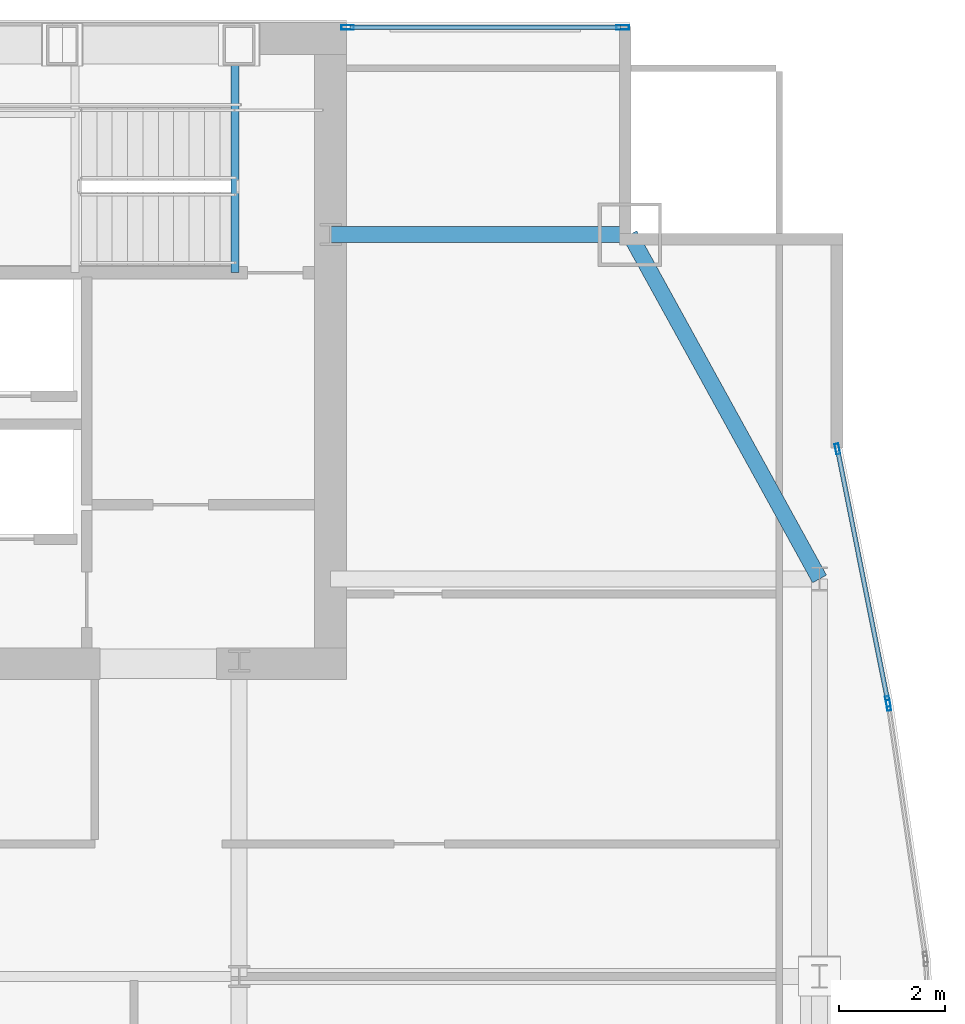
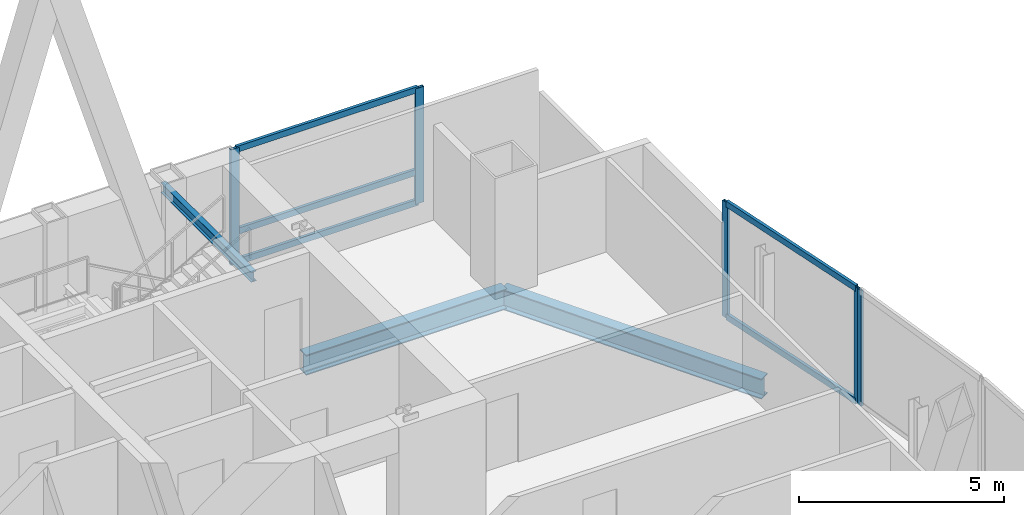
# One storey, part 25 of 32: 10 members, 3 beams, 3 elements without a shape of their own.
"""IFC4 building model written with IfcOpenShell, lengths in metres."""

import ifcopenshell
import ifcopenshell.guid

model = None  # the IFC model being written
_history = None  # IfcOwnerHistory: only IFC2X3 demands one
_inside = {}  # id of a spatial element -> (the spatial element, [elements in it])
_under = {}  # id of a project, library or spatial element -> (it, [spatial elements below it])
_declared = {}  # id of a project -> (the project, [libraries it declares])
_typed = {}  # id of a type object -> (the type object, [elements of that type])
_made_of = {}  # id of a material, layer set ... -> (it, [elements and type objects made of it])


def new_model(schema):
    """Start an empty IFC model of exactly this schema.

    Asked for "IFC4X3", IfcOpenShell would pick the latest addendum, in which some entities
    have other attributes; the version numbers below select the first issue.
    IFC2X3 requires an IfcOwnerHistory on every rooted entity: one is made here for all.
    """
    global model, _history
    if schema == "IFC4X3":
        model = ifcopenshell.file(schema_version=(4, 3, 0, 0))
    else:
        model = ifcopenshell.file(schema=schema)
    _inside.clear()
    _under.clear()
    _declared.clear()
    _typed.clear()
    _made_of.clear()
    _history = None
    if model.schema == "IFC2X3":
        org = make("IfcOrganization", Name="unknown")
        user = make(
            "IfcPersonAndOrganization",
            ThePerson=make("IfcPerson", FamilyName="unknown"),
            TheOrganization=org,
        )
        app = make(
            "IfcApplication",
            ApplicationDeveloper=org,
            Version="unknown",
            ApplicationFullName="unknown",
            ApplicationIdentifier="unknown",
        )
        _history = make(
            "IfcOwnerHistory",
            OwningUser=user,
            OwningApplication=app,
            ChangeAction="ADDED",
            CreationDate=0,
        )
    return model


def make(cls, **values):
    """One entity of the class cls with the attributes given. An attribute that is None is left unset."""
    return model.create_entity(
        cls, **{name: value for name, value in values.items() if value is not None}
    )


def rooted(cls, **values):
    """An entity with a GlobalId (a new one), such as an element, a storey or a relation."""
    return make(cls, GlobalId=ifcopenshell.guid.new(), OwnerHistory=_history, **values)


def si_unit(unit_type, name, prefix=None):
    """IfcSIUnit, for example si_unit("LENGTHUNIT", "METRE", prefix="MILLI")."""
    return make("IfcSIUnit", UnitType=unit_type, Prefix=prefix, Name=name)


def assignment(units):
    """IfcUnitAssignment: the units of a project."""
    return None if units is None else make("IfcUnitAssignment", Units=units)


def point(xyz):
    """IfcCartesianPoint."""
    return None if xyz is None else make("IfcCartesianPoint", Coordinates=xyz)


def direction(xyz):
    """IfcDirection."""
    return None if xyz is None else make("IfcDirection", DirectionRatios=xyz)


def frame(location, z_axis=None, x_axis=None):
    """IfcAxis2Placement3D, a coordinate frame: its origin and axes. An axis left out is left unset."""
    return make(
        "IfcAxis2Placement3D",
        Location=point(location),
        Axis=direction(z_axis),
        RefDirection=direction(x_axis),
    )


def frame_2d(location, x_axis=None):
    """IfcAxis2Placement2D, a coordinate frame in the plane: its origin and x axis."""
    return make(
        "IfcAxis2Placement2D", Location=point(location), RefDirection=direction(x_axis)
    )


def origin():
    """The frame at (0, 0, 0) with its axes left unset."""
    return frame((0.0, 0.0, 0.0))


def origin_2d():
    """The frame at (0, 0) in the plane with its x axis left unset."""
    return frame_2d((0.0, 0.0))


def place(relative_to, where):
    """IfcLocalPlacement: puts the frame where relative to a parent placement (None: the world)."""
    return make(
        "IfcLocalPlacement", PlacementRelTo=relative_to, RelativePlacement=where
    )


def context(
    kind, dimensions, precision=None, world=None, true_north=None, identifier=None
):
    """IfcGeometricRepresentationContext, for example the 3D "Model" context."""
    return make(
        "IfcGeometricRepresentationContext",
        ContextIdentifier=identifier,
        ContextType=kind,
        CoordinateSpaceDimension=dimensions,
        Precision=precision,
        WorldCoordinateSystem=world,
        TrueNorth=true_north,
    )


def subcontext(parent, identifier, kind, view, scale=None):
    """IfcGeometricRepresentationSubContext, for example "Body" below "Model"."""
    return make(
        "IfcGeometricRepresentationSubContext",
        ContextIdentifier=identifier,
        ContextType=kind,
        ParentContext=parent,
        TargetScale=scale,
        TargetView=view,
    )


def project(units=None, contexts=None):
    """IfcProject with its units and contexts."""
    return rooted(
        "IfcProject",
        Name="project",
        RepresentationContexts=contexts,
        UnitsInContext=assignment(units),
    )


def spatial(cls, under=None, at=None, **own):
    """A site, building, storey or space (cls), placed at a placement, below another one or the project."""
    s = rooted(cls, ObjectPlacement=at, **own)
    if under is not None:
        _under.setdefault(under.id(), (under, []))[1].append(s)
    return s


def profile(cls, at=None, kind="AREA", **sizes):
    """A parametric profile (cls). Its sizes go by their IFC names, for example OverallWidth=200.0."""
    return make(cls, ProfileType=kind, Position=at, **sizes)


def hollow_rectangle(**sizes):
    """IfcRectangleHollowProfileDef."""
    return profile("IfcRectangleHollowProfileDef", **sizes)


def i_section(**sizes):
    """IfcIShapeProfileDef."""
    return profile("IfcIShapeProfileDef", **sizes)


def extrude(swept, where, along, depth):
    """IfcExtrudedAreaSolid: the profile swept, set in the frame where, extruded along a direction by depth."""
    return make(
        "IfcExtrudedAreaSolid",
        SweptArea=swept,
        Position=where,
        ExtrudedDirection=direction(along),
        Depth=depth,
    )


def shape(context_of_items, identifier, shape_type, items):
    """IfcShapeRepresentation: the items that make up one representation, for example the "Body"."""
    return make(
        "IfcShapeRepresentation",
        ContextOfItems=context_of_items,
        RepresentationIdentifier=identifier,
        RepresentationType=shape_type,
        Items=items,
    )


def material(Name=None, Category=None):
    """IfcMaterial."""
    return make("IfcMaterial", Name=Name, Category=Category)


def material_profile(
    of_material, cross_section, Name=None, Category=None, Priority=None
):
    """IfcMaterialProfile: a cross section and its material."""
    return make(
        "IfcMaterialProfile",
        Name=Name,
        Material=of_material,
        Profile=cross_section,
        Priority=Priority,
        Category=Category,
    )


def profile_set(profiles, Name=None, composite=None):
    """IfcMaterialProfileSet."""
    return make(
        "IfcMaterialProfileSet",
        Name=Name,
        MaterialProfiles=profiles,
        CompositeProfile=composite,
    )


def made_of(thing, what):
    """Note that an element or type object is made of a material, layer set ...; save() writes the relation."""
    if what is not None:
        _made_of.setdefault(what.id(), (what, []))[1].append(thing)
    return thing


def type_object(cls, material=None, **own):
    """A type object (cls), such as IfcWallType, which elements share."""
    return made_of(rooted(cls, **own), material)


def element(
    cls,
    number,
    at=None,
    inside=None,
    cuts=None,
    type_object=None,
    material=None,
    context=None,
    identifier="Body",
    shape_type=None,
    held_by="IfcProductDefinitionShape",
    body=None,
    shapes=None,
    **own,
):
    """One element of the class cls, such as IfcWall. Its Tag is "e" and its number.

    at: its placement. inside: the storey or other place that contains it. cuts: it is an
    opening in that element (IfcRelVoidsElement). A single representation is given by context,
    identifier, shape_type and body (its items); several are given by shapes. held_by: the class
    of the entity that holds the representations. save() writes the other relations.
    """
    e = rooted(cls, Tag="e%d" % number, ObjectPlacement=at, **own)
    if body is not None:
        shapes = [shape(context, identifier, shape_type, body)]
    if shapes is not None:
        e.Representation = make(held_by, Representations=shapes)
    if inside is not None:
        _inside.setdefault(inside.id(), (inside, []))[1].append(e)
    if cuts is not None:
        rooted(
            "IfcRelVoidsElement", RelatingBuildingElement=cuts, RelatedOpeningElement=e
        )
    if type_object is not None:
        _typed.setdefault(type_object.id(), (type_object, []))[1].append(e)
    return made_of(e, material)


def aggregate(whole, parts):
    """IfcRelAggregates: a whole, such as a stair, and the parts it consists of."""
    return rooted("IfcRelAggregates", RelatingObject=whole, RelatedObjects=parts)


def save(model, path):
    """Write the relations noted so far, then the file.

    IfcRelAggregates (storeys below a building ...), IfcRelContainedInSpatialStructure (elements
    in a storey), IfcRelDefinesByType, IfcRelAssociatesMaterial and IfcRelDeclares: one each for
    every whole, place, type object, material and project.
    """
    for whole, parts in _under.values():
        aggregate(whole, parts)
    for where, things in _inside.values():
        rooted(
            "IfcRelContainedInSpatialStructure",
            RelatedElements=things,
            RelatingStructure=where,
        )
    for kind, things in _typed.values():
        rooted("IfcRelDefinesByType", RelatedObjects=things, RelatingType=kind)
    for what, things in _made_of.values():
        rooted("IfcRelAssociatesMaterial", RelatedObjects=things, RelatingMaterial=what)
    for by, libraries in _declared.values():
        rooted("IfcRelDeclares", RelatingContext=by, RelatedDefinitions=libraries)
    model.write(path)


model = new_model("IFC4")

# Units and contexts
model_context = context("Model", 3, precision=1e-05, world=origin(), true_north=direction((0.0, 1.0)))
body_context = subcontext(model_context, "Body", "Model", "MODEL_VIEW")
ifc_project = project(units=[si_unit("LENGTHUNIT", "METRE"), si_unit("AREAUNIT", "SQUARE_METRE"), si_unit("VOLUMEUNIT", "CUBIC_METRE"), si_unit("PLANEANGLEUNIT", "RADIAN"), si_unit("MASSUNIT", "GRAM", prefix="KILO")], contexts=[model_context])

# Site, building, storey
site_placement = place(None, origin())
site = spatial("IfcSite", under=ifc_project, at=site_placement, CompositionType="ELEMENT")
building_placement = place(site_placement, origin())
building = spatial("IfcBuilding", under=site, at=building_placement, Name="Khoronbel Lancet Exchange", CompositionType="ELEMENT")
storey_placement = place(building_placement, frame((0.0, 0.0, 221.0)))
storey = spatial("IfcBuildingStorey", under=building, at=storey_placement, Name="L56", CompositionType="ELEMENT", Elevation=221.0)

# Beams
ifc_material_1 = material(Name="Steel S355", Category="steel")
ifc_material_profile_1 = material_profile(ifc_material_1, i_section(OverallWidth=0.14990234375, OverallDepth=0.300048828125, WebThickness=0.007080078125, FlangeThickness=0.0107421875, at=origin_2d()), Name="IPE 300")
ifc_profile_set_1 = profile_set([ifc_material_profile_1], Name="Steel S355")
beam_type_1 = type_object("IfcBeamType", Name="BM-BJ8", PredefinedType="JOIST", material=ifc_profile_set_1)
beam_1_placement = place(storey_placement, frame((54.60009765625, 48.97998046875, 3.159912109375), z_axis=(0.0, 1.0, 0.0), x_axis=(-1.0, 0.0, 0.0)))
element("IfcBeam", 1, at=beam_1_placement, inside=storey, type_object=beam_type_1, Name="Level L56 stair ST2 upper-flight arrival trimmer beam", PredefinedType="JOIST", context=body_context, shape_type="SweptSolid", body=[
    extrude(i_section(OverallWidth=0.14990234375, OverallDepth=0.300048828125, WebThickness=0.007080078125, FlangeThickness=0.0107421875, at=origin_2d()), origin(), (0.0, 0.0, 1.0), 4.419921875),
])
ifc_material_profile_2 = material_profile(ifc_material_1, i_section(OverallWidth=0.300048828125, OverallDepth=0.60009765625, WebThickness=0.015380859375, FlangeThickness=0.030029296875, at=origin_2d()), Name="HEB 600")
ifc_profile_set_2 = profile_set([ifc_material_profile_2], Name="Steel S355")
beam_type_2 = type_object("IfcBeamType", Name="BM-BSP2", PredefinedType="SPANDREL", material=ifc_profile_set_2)
beam_2_placement = place(storey_placement, frame((65.6298828125, 43.199951171875, -0.4599609375), z_axis=(-0.482418808117, 0.875940690672, 0.0), x_axis=(-0.875940690672, -0.482418808117, 0.0)))
element("IfcBeam", 2, at=beam_2_placement, inside=storey, type_object=beam_type_2, Name="Level L56 perimeter spandrel beam SP15", PredefinedType="SPANDREL", context=body_context, shape_type="SweptSolid", body=[
    extrude(i_section(OverallWidth=0.300048828125, OverallDepth=0.60009765625, WebThickness=0.015380859375, FlangeThickness=0.030029296875, at=origin_2d()), origin(), (0.0, 0.0, 1.0), 7.420654296875),
])
beam_3_placement = place(storey_placement, frame((62.050048828125, 49.699951171875, -0.4599609375), z_axis=(-1.0, 0.0, 0.0), x_axis=(0.0, -1.0, 0.0)))
element("IfcBeam", 3, at=beam_3_placement, inside=storey, type_object=beam_type_2, Name="Level L56 north flank tie spandrel SP23", PredefinedType="SPANDREL", context=body_context, shape_type="SweptSolid", body=[
    extrude(i_section(OverallWidth=0.300048828125, OverallDepth=0.60009765625, WebThickness=0.015380859375, FlangeThickness=0.030029296875, at=origin_2d()), origin(), (0.0, 0.0, 1.0), 5.650146484375),
])

# Curtain wall, members
ifc_material_2 = material(Name="Low-E Solar Control Insulating Glass", Category="glass")
curtain_wall_type_1 = type_object("IfcCurtainWallType", Name="CW-3", PredefinedType="NOTDEFINED", material=ifc_material_2)
curtain_wall_1_placement = place(storey_placement, origin())
curtain_wall_1 = element("IfcCurtainWall", 4, at=curtain_wall_1_placement, inside=storey, type_object=curtain_wall_type_1, Name="Unitised curtain wall CW-L56-NEFLK", PredefinedType="NOTDEFINED")
ifc_material_3 = material(Name="Bronze-Anodised Aluminium 6063-T6", Category="aluminium")
ifc_material_profile_3 = material_profile(ifc_material_3, hollow_rectangle(XDim=0.0849609375, YDim=0.239990234375, WallThickness=0.006103515625, at=origin_2d()), Name="ALU MULLION 85x240")
ifc_profile_set_3 = profile_set([ifc_material_profile_3], Name="Bronze-Anodised Aluminium 6063-T6")
member_type_1 = type_object("IfcMemberType", Name="MEM-CWM1", PredefinedType="MULLION", material=ifc_profile_set_3)
member_1_placement = place(storey_placement, frame((61.91748046875, 53.610107421875, 0.0), z_axis=(0.0, 0.0, 1.0), x_axis=(0.0, -1.0, 0.0)))
member_1 = element("IfcMember", 5, at=member_1_placement, type_object=member_type_1, Name="CW3 mullion 1", PredefinedType="MULLION", context=body_context, shape_type="SweptSolid", body=[
    extrude(hollow_rectangle(XDim=0.0849609375, YDim=0.239990234375, WallThickness=0.006103515625, at=origin_2d()), origin(), (0.0, 0.0, 1.0), 3.43994140625),
])
member_2_placement = place(storey_placement, frame((56.722412109375, 53.610107421875, 0.0), z_axis=(0.0, 0.0, 1.0), x_axis=(0.0, -1.0, 0.0)))
member_2 = element("IfcMember", 6, at=member_2_placement, type_object=member_type_1, Name="CW3 mullion 2", PredefinedType="MULLION", context=body_context, shape_type="SweptSolid", body=[
    extrude(hollow_rectangle(XDim=0.0849609375, YDim=0.239990234375, WallThickness=0.006103515625, at=origin_2d()), origin(), (0.0, 0.0, 1.0), 3.43994140625),
])

curtain_wall_type_2 = type_object("IfcCurtainWallType", Name="CW-4", PredefinedType="NOTDEFINED", material=ifc_material_2)
curtain_wall_2_placement = place(storey_placement, origin())
curtain_wall_2 = element("IfcCurtainWall", 7, at=curtain_wall_2_placement, inside=storey, type_object=curtain_wall_type_2, Name="Unitised curtain wall CW-L56-E17", PredefinedType="NOTDEFINED")
ifc_material_profile_4 = material_profile(ifc_material_3, hollow_rectangle(XDim=0.074951171875, YDim=0.199951171875, WallThickness=0.0048828125, at=origin_2d()), Name="ALU MULLION 75x200")
ifc_profile_set_4 = profile_set([ifc_material_profile_4], Name="Bronze-Anodised Aluminium 6063-T6")
member_type_2 = type_object("IfcMemberType", Name="MEM-CWM2", PredefinedType="MULLION", material=ifc_profile_set_4)
member_3_placement = place(storey_placement, frame((65.96728515625, 45.654296875, 0.0), z_axis=(0.0, 0.0, 1.0), x_axis=(0.980636746666, 0.19583557156, 0.0)))
member_3 = element("IfcMember", 8, at=member_3_placement, type_object=member_type_2, Name="CW4 mullion 1", PredefinedType="MULLION", context=body_context, shape_type="SweptSolid", body=[
    extrude(hollow_rectangle(XDim=0.074951171875, YDim=0.199951171875, WallThickness=0.0048828125, at=origin_2d()), origin(), (0.0, 0.0, 1.0), 3.43994140625),
])
member_4_placement = place(storey_placement, frame((66.919189453125, 40.88818359375, 0.0), z_axis=(0.0, 0.0, 1.0), x_axis=(0.980636746666, 0.19583557156, 0.0)))
member_4 = element("IfcMember", 9, at=member_4_placement, type_object=member_type_2, Name="CW4 mullion 2", PredefinedType="MULLION", context=body_context, shape_type="SweptSolid", body=[
    extrude(hollow_rectangle(XDim=0.074951171875, YDim=0.199951171875, WallThickness=0.0048828125, at=origin_2d()), origin(), (0.0, 0.0, 1.0), 3.43994140625),
])

# Curtain wall, member
curtain_wall_3_placement = place(storey_placement, origin())
curtain_wall_3 = element("IfcCurtainWall", 10, at=curtain_wall_3_placement, inside=storey, type_object=curtain_wall_type_2, Name="Unitised curtain wall CW-L56-E18", PredefinedType="NOTDEFINED")
member_5_placement = place(storey_placement, frame((66.931884765625, 40.814208984375, 0.0), z_axis=(0.0, 0.0, 1.0), x_axis=(0.989484260483, 0.144640583019, 0.0)))
member_5 = element("IfcMember", 11, at=member_5_placement, type_object=member_type_2, Name="CW4 mullion 1", PredefinedType="MULLION", context=body_context, shape_type="SweptSolid", body=[
    extrude(hollow_rectangle(XDim=0.074951171875, YDim=0.199951171875, WallThickness=0.0048828125, at=origin_2d()), origin(), (0.0, 0.0, 1.0), 3.43994140625),
])
aggregate(curtain_wall_3, [member_5])

# Member
ifc_material_profile_5 = material_profile(ifc_material_3, hollow_rectangle(XDim=0.0849609375, YDim=0.179931640625, WallThickness=0.0048828125, at=origin_2d()), Name="ALU TRANSOM 85x180")
ifc_profile_set_5 = profile_set([ifc_material_profile_5], Name="Bronze-Anodised Aluminium 6063-T6")
member_type_3 = type_object("IfcMemberType", Name="MEM-CWT1", PredefinedType="USERDEFINED", material=ifc_profile_set_5)
member_6_placement = place(storey_placement, frame((61.875, 53.610107421875, 0.04248046875), z_axis=(-1.0, 0.0, 0.0), x_axis=(0.0, -1.0, 0.0)))
member_6 = element("IfcMember", 12, at=member_6_placement, type_object=member_type_3, Name="CW3 transom 1.1", ObjectType="TRANSOM", PredefinedType="USERDEFINED", context=body_context, shape_type="SweptSolid", body=[
    extrude(hollow_rectangle(XDim=0.0849609375, YDim=0.179931640625, WallThickness=0.0048828125, at=origin_2d()), origin(), (0.0, 0.0, 1.0), 5.110107421875),
])

member_7_placement = place(storey_placement, frame((61.875, 53.610107421875, 0.949951171875), z_axis=(-1.0, 0.0, 0.0), x_axis=(0.0, -1.0, 0.0)))
member_7 = element("IfcMember", 13, at=member_7_placement, type_object=member_type_3, Name="CW3 transom 1.2", ObjectType="TRANSOM", PredefinedType="USERDEFINED", context=body_context, shape_type="SweptSolid", body=[
    extrude(hollow_rectangle(XDim=0.0849609375, YDim=0.179931640625, WallThickness=0.0048828125, at=origin_2d()), origin(), (0.0, 0.0, 1.0), 5.110107421875),
])

member_8_placement = place(storey_placement, frame((61.875, 53.610107421875, 3.3974609375), z_axis=(-1.0, 0.0, 0.0), x_axis=(0.0, -1.0, 0.0)))
member_8 = element("IfcMember", 14, at=member_8_placement, type_object=member_type_3, Name="CW3 transom 1.3", ObjectType="TRANSOM", PredefinedType="USERDEFINED", context=body_context, shape_type="SweptSolid", body=[
    extrude(hollow_rectangle(XDim=0.0849609375, YDim=0.179931640625, WallThickness=0.0048828125, at=origin_2d()), origin(), (0.0, 0.0, 1.0), 5.110107421875),
])

aggregate(curtain_wall_1, [member_1, member_2, member_6, member_7, member_8])

member_9_placement = place(storey_placement, frame((65.974609375, 45.617431640625, 0.04248046875), z_axis=(0.195870834211, -0.980629703969, 0.0), x_axis=(0.980629703969, 0.195870834211, 0.0)))
member_9 = element("IfcMember", 15, at=member_9_placement, type_object=member_type_3, Name="CW4 transom 1.1", ObjectType="TRANSOM", PredefinedType="USERDEFINED", context=body_context, shape_type="SweptSolid", body=[
    extrude(hollow_rectangle(XDim=0.0849609375, YDim=0.179931640625, WallThickness=0.0048828125, at=origin_2d()), origin(), (0.0, 0.0, 1.0), 4.78515625),
])

member_10_placement = place(storey_placement, frame((65.974609375, 45.617431640625, 3.3974609375), z_axis=(0.195870834211, -0.980629703969, 0.0), x_axis=(0.980629703969, 0.195870834211, 0.0)))
member_10 = element("IfcMember", 16, at=member_10_placement, type_object=member_type_3, Name="CW4 transom 1.2", ObjectType="TRANSOM", PredefinedType="USERDEFINED", context=body_context, shape_type="SweptSolid", body=[
    extrude(hollow_rectangle(XDim=0.0849609375, YDim=0.179931640625, WallThickness=0.0048828125, at=origin_2d()), origin(), (0.0, 0.0, 1.0), 4.78515625),
])

aggregate(curtain_wall_2, [member_3, member_4, member_9, member_10])

save(model, "model.ifc")
